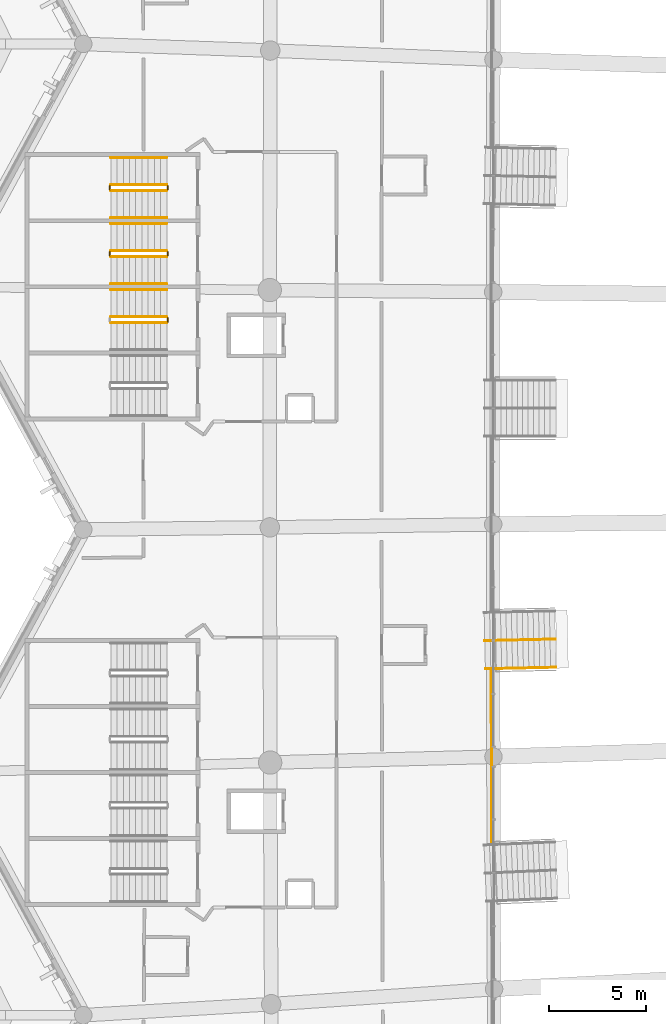
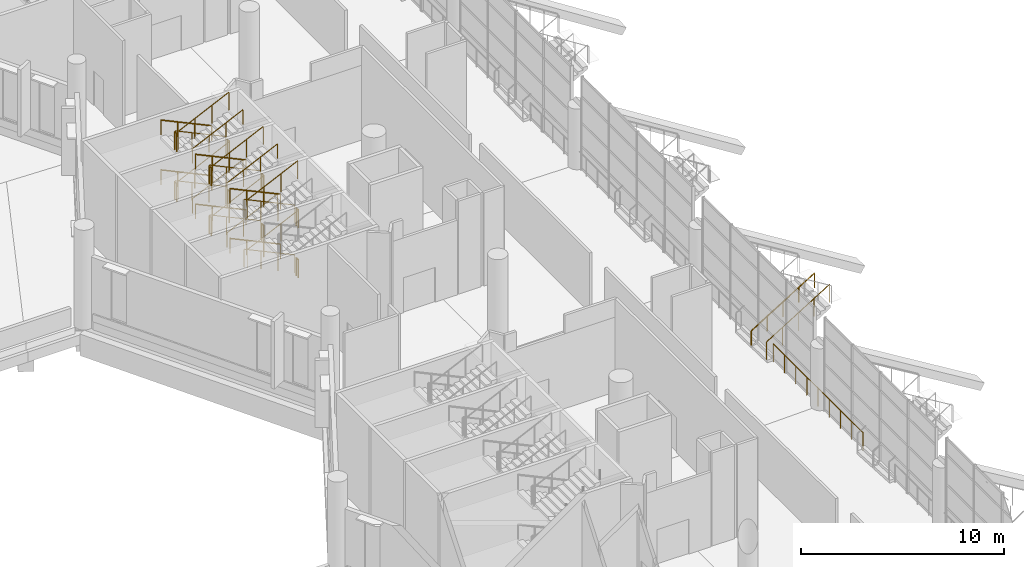
# One storey, part 125 of 173: 35 railings.
"""IFC4 building model written with IfcOpenShell, lengths in metres."""

from ifc_helpers import new_model, si_unit, direction, frame, origin, origin_2d, place, context, subcontext, project, spatial, circle, extrude, material, type_object, element, save


model = new_model("IFC4")

# Units and contexts
model_context = context("Model", 3, precision=1e-05, world=origin(), true_north=direction((0.0, 1.0)))
body_context = subcontext(model_context, "Body", "Model", "MODEL_VIEW")
ifc_project = project(units=[si_unit("LENGTHUNIT", "METRE"), si_unit("AREAUNIT", "SQUARE_METRE"), si_unit("VOLUMEUNIT", "CUBIC_METRE"), si_unit("PLANEANGLEUNIT", "RADIAN"), si_unit("MASSUNIT", "GRAM", prefix="KILO")], contexts=[model_context])

# Site, building, storey
site_placement = place(None, origin())
site = spatial("IfcSite", under=ifc_project, at=site_placement, CompositionType="ELEMENT")
building_placement = place(site_placement, origin())
building = spatial("IfcBuilding", under=site, at=building_placement, Name="Meseta Stadium", CompositionType="ELEMENT")
storey_placement = place(building_placement, frame((0.0, 0.0, 18.0)))
storey = spatial("IfcBuildingStorey", under=building, at=storey_placement, Name="L03", CompositionType="ELEMENT", Elevation=18.0)

# Railings
ifc_material_1 = material(Name="Steel S355", Category="steel")
railing_type_1 = type_object("IfcRailingType", Name="Plate edge guard 1100", PredefinedType="GUARDRAIL", material=ifc_material_1)
railing_1_placement = place(storey_placement, frame((-73.590087890625, -13.534912109375, 0.0)))
element("IfcRailing", 1, at=railing_1_placement, inside=storey, type_object=railing_type_1, Name="L03 inner edge guard 35", PredefinedType="GUARDRAIL", context=body_context, shape_type="SweptSolid", body=[
    extrude(circle(Radius=0.02490234375, at=origin_2d()), frame((0.0, 0.0, 1.0751953125), z_axis=(0.001964850227, -0.99999806968, 0.0), x_axis=(0.99999806968, 0.001964850227, 0.0)), (0.0, 0.0, 1.0), 8.822021484375),
    extrude(circle(Radius=0.02001953125, at=origin_2d()), origin(), (0.0, 0.0, 1.0), 1.050048828125),
    extrude(circle(Radius=0.02001953125, at=origin_2d()), frame((0.002197265625, -1.102783203125, 0.0)), (0.0, 0.0, 1.0), 1.050048828125),
    extrude(circle(Radius=0.02001953125, at=origin_2d()), frame((0.00439453125, -2.20556640625, 0.0)), (0.0, 0.0, 1.0), 1.050048828125),
    extrude(circle(Radius=0.02001953125, at=origin_2d()), frame((0.006591796875, -3.308349609375, 0.0)), (0.0, 0.0, 1.0), 1.050048828125),
    extrude(circle(Radius=0.02001953125, at=origin_2d()), frame((0.0087890625, -4.4111328125, 0.0)), (0.0, 0.0, 1.0), 1.050048828125),
    extrude(circle(Radius=0.02001953125, at=origin_2d()), frame((0.0107421875, -5.513671875, 0.0)), (0.0, 0.0, 1.0), 1.050048828125),
    extrude(circle(Radius=0.02001953125, at=origin_2d()), frame((0.012939453125, -6.616455078125, 0.0)), (0.0, 0.0, 1.0), 1.050048828125),
    extrude(circle(Radius=0.02001953125, at=origin_2d()), frame((0.01513671875, -7.71923828125, 0.0)), (0.0, 0.0, 1.0), 1.050048828125),
    extrude(circle(Radius=0.02001953125, at=origin_2d()), frame((0.017333984375, -8.822021484375, 0.0)), (0.0, 0.0, 1.0), 1.050048828125),
])
ifc_material_2 = material(Name="Steel S355", Category="steel")
railing_type_2 = type_object("IfcRailingType", Name="Stair guard 1100", PredefinedType="GUARDRAIL", material=ifc_material_2)
railing_2_placement = place(storey_placement, frame((-90.300048828125, 11.5, 0.14990234375)))
element("IfcRailing", 2, at=railing_2_placement, inside=storey, type_object=railing_type_2, Name="ST65 L03 guard 1", PredefinedType="GUARDRAIL", context=body_context, shape_type="SweptSolid", body=[
    extrude(circle(Radius=0.02392578125, at=origin_2d()), frame((0.0, 0.0, 1.076171875), z_axis=(-0.905440498372, 0.0, 0.424473207528), x_axis=(0.0, -1.0, 0.0)), (0.0, 0.0, 1.0), 3.1806640625),
    extrude(circle(Radius=0.02099609375, at=origin_2d()), origin(), (0.0, 0.0, 1.0), 1.052001953125),
    extrude(circle(Radius=0.02099609375, at=origin_2d()), frame((-0.9599609375, 0.0, 0.449951171875)), (0.0, 0.0, 1.0), 1.052001953125),
    extrude(circle(Radius=0.02099609375, at=origin_2d()), frame((-1.919921875, 0.0, 0.900146484375)), (0.0, 0.0, 1.0), 1.052001953125),
    extrude(circle(Radius=0.02099609375, at=origin_2d()), frame((-2.8798828125, 0.0, 1.35009765625)), (0.0, 0.0, 1.0), 1.052001953125),
])
railing_3_placement = place(storey_placement, frame((-93.22998046875, 11.449951171875, 1.5)))
element("IfcRailing", 3, at=railing_3_placement, inside=storey, type_object=railing_type_2, Name="ST65 L03 guard 2", PredefinedType="GUARDRAIL", context=body_context, shape_type="SweptSolid", body=[
    extrude(circle(Radius=0.02392578125, at=origin_2d()), frame((0.0, 0.0, 1.076171875), z_axis=(0.0, -1.0, 0.0), x_axis=(1.0, 0.0, 0.0)), (0.0, 0.0, 1.0), 0.199951171875),
    extrude(circle(Radius=0.02099609375, at=origin_2d()), origin(), (0.0, 0.0, 1.0), 1.052001953125),
    extrude(circle(Radius=0.02099609375, at=origin_2d()), frame((0.0, -0.199951171875, 0.0)), (0.0, 0.0, 1.0), 1.052001953125),
])
railing_4_placement = place(storey_placement, frame((-93.179931640625, 11.199951171875, 1.64990234375)))
element("IfcRailing", 4, at=railing_4_placement, inside=storey, type_object=railing_type_2, Name="ST65 L03 guard 3", PredefinedType="GUARDRAIL", context=body_context, shape_type="SweptSolid", body=[
    extrude(circle(Radius=0.02392578125, at=origin_2d()), frame((0.0, 0.0, 1.076171875), z_axis=(0.905440498372, 0.0, 0.424473207528), x_axis=(0.0, 1.0, 0.0)), (0.0, 0.0, 1.0), 3.1806640625),
    extrude(circle(Radius=0.02099609375, at=origin_2d()), origin(), (0.0, 0.0, 1.0), 1.052001953125),
    extrude(circle(Radius=0.02099609375, at=origin_2d()), frame((0.9599609375, 0.0, 0.449951171875)), (0.0, 0.0, 1.0), 1.052001953125),
    extrude(circle(Radius=0.02099609375, at=origin_2d()), frame((1.919921875, 0.0, 0.900146484375)), (0.0, 0.0, 1.0), 1.052001953125),
    extrude(circle(Radius=0.02099609375, at=origin_2d()), frame((2.8798828125, 0.0, 1.35009765625)), (0.0, 0.0, 1.0), 1.052001953125),
])
railing_5_placement = place(storey_placement, frame((-90.25, 11.449951171875, 3.0)))
element("IfcRailing", 5, at=railing_5_placement, inside=storey, type_object=railing_type_2, Name="ST65 L03 guard 4", PredefinedType="GUARDRAIL", context=body_context, shape_type="SweptSolid", body=[
    extrude(circle(Radius=0.02392578125, at=origin_2d()), frame((0.0, 0.0, 1.076171875), z_axis=(0.0, -1.0, 0.0), x_axis=(1.0, 0.0, 0.0)), (0.0, 0.0, 1.0), 0.199951171875),
    extrude(circle(Radius=0.02099609375, at=origin_2d()), origin(), (0.0, 0.0, 1.0), 1.052001953125),
    extrude(circle(Radius=0.02099609375, at=origin_2d()), frame((0.0, -0.199951171875, 0.0)), (0.0, 0.0, 1.0), 1.052001953125),
])
railing_6_placement = place(storey_placement, frame((-90.300048828125, 11.5, 3.14990234375)))
element("IfcRailing", 6, at=railing_6_placement, inside=storey, type_object=railing_type_2, Name="ST65 L03 guard 5", PredefinedType="GUARDRAIL", context=body_context, shape_type="SweptSolid", body=[
    extrude(circle(Radius=0.02392578125, at=origin_2d()), frame((0.0, 0.0, 1.076171875), z_axis=(-0.905440498372, 0.0, 0.424473207528), x_axis=(0.0, -1.0, 0.0)), (0.0, 0.0, 1.0), 3.1806640625),
    extrude(circle(Radius=0.02099609375, at=origin_2d()), origin(), (0.0, 0.0, 1.0), 1.052001953125),
    extrude(circle(Radius=0.02099609375, at=origin_2d()), frame((-0.9599609375, 0.0, 0.449951171875)), (0.0, 0.0, 1.0), 1.052001953125),
    extrude(circle(Radius=0.02099609375, at=origin_2d()), frame((-1.919921875, 0.0, 0.900146484375)), (0.0, 0.0, 1.0), 1.052001953125),
    extrude(circle(Radius=0.02099609375, at=origin_2d()), frame((-2.8798828125, 0.0, 1.35009765625)), (0.0, 0.0, 1.0), 1.052001953125),
])
railing_7_placement = place(storey_placement, frame((-93.22998046875, 11.449951171875, 4.5)))
element("IfcRailing", 7, at=railing_7_placement, inside=storey, type_object=railing_type_2, Name="ST65 L03 guard 6", PredefinedType="GUARDRAIL", context=body_context, shape_type="SweptSolid", body=[
    extrude(circle(Radius=0.02392578125, at=origin_2d()), frame((0.0, 0.0, 1.076171875), z_axis=(0.0, -1.0, 0.0), x_axis=(1.0, 0.0, 0.0)), (0.0, 0.0, 1.0), 0.199951171875),
    extrude(circle(Radius=0.02099609375, at=origin_2d()), origin(), (0.0, 0.0, 1.0), 1.052001953125),
    extrude(circle(Radius=0.02099609375, at=origin_2d()), frame((0.0, -0.199951171875, 0.0)), (0.0, 0.0, 1.0), 1.052001953125),
])
railing_8_placement = place(storey_placement, frame((-93.179931640625, 11.199951171875, 4.64990234375)))
element("IfcRailing", 8, at=railing_8_placement, inside=storey, type_object=railing_type_2, Name="ST65 L03 guard 7", PredefinedType="GUARDRAIL", context=body_context, shape_type="SweptSolid", body=[
    extrude(circle(Radius=0.02392578125, at=origin_2d()), frame((0.0, 0.0, 1.076171875), z_axis=(0.905440498372, 0.0, 0.424473207528), x_axis=(0.0, 1.0, 0.0)), (0.0, 0.0, 1.0), 3.1806640625),
    extrude(circle(Radius=0.02099609375, at=origin_2d()), origin(), (0.0, 0.0, 1.0), 1.052001953125),
    extrude(circle(Radius=0.02099609375, at=origin_2d()), frame((0.9599609375, 0.0, 0.449951171875)), (0.0, 0.0, 1.0), 1.052001953125),
    extrude(circle(Radius=0.02099609375, at=origin_2d()), frame((1.919921875, 0.0, 0.900146484375)), (0.0, 0.0, 1.0), 1.052001953125),
    extrude(circle(Radius=0.02099609375, at=origin_2d()), frame((2.8798828125, 0.0, 1.35009765625)), (0.0, 0.0, 1.0), 1.052001953125),
])
railing_9_placement = place(storey_placement, frame((-90.25, 11.449951171875, 0.0)))
element("IfcRailing", 9, at=railing_9_placement, inside=storey, type_object=railing_type_2, Name="ST65 L03 guard 8", PredefinedType="GUARDRAIL", context=body_context, shape_type="SweptSolid", body=[
    extrude(circle(Radius=0.02392578125, at=origin_2d()), frame((0.0, 0.0, 1.076171875), z_axis=(0.0, -1.0, 0.0), x_axis=(1.0, 0.0, 0.0)), (0.0, 0.0, 1.0), 0.199951171875),
    extrude(circle(Radius=0.02099609375, at=origin_2d()), origin(), (0.0, 0.0, 1.0), 1.052001953125),
    extrude(circle(Radius=0.02099609375, at=origin_2d()), frame((0.0, -0.199951171875, 0.0)), (0.0, 0.0, 1.0), 1.052001953125),
])
railing_10_placement = place(storey_placement, frame((-90.300048828125, 8.10009765625, 0.14990234375)))
element("IfcRailing", 10, at=railing_10_placement, inside=storey, type_object=railing_type_2, Name="ST66 L03 guard 1", PredefinedType="GUARDRAIL", context=body_context, shape_type="SweptSolid", body=[
    extrude(circle(Radius=0.02392578125, at=origin_2d()), frame((0.0, 0.0, 1.076171875), z_axis=(-0.905440498372, 0.0, 0.424473207528), x_axis=(0.0, -1.0, 0.0)), (0.0, 0.0, 1.0), 3.1806640625),
    extrude(circle(Radius=0.02099609375, at=origin_2d()), origin(), (0.0, 0.0, 1.0), 1.052001953125),
    extrude(circle(Radius=0.02099609375, at=origin_2d()), frame((-0.9599609375, 0.0, 0.449951171875)), (0.0, 0.0, 1.0), 1.052001953125),
    extrude(circle(Radius=0.02099609375, at=origin_2d()), frame((-1.919921875, 0.0, 0.900146484375)), (0.0, 0.0, 1.0), 1.052001953125),
    extrude(circle(Radius=0.02099609375, at=origin_2d()), frame((-2.8798828125, 0.0, 1.35009765625)), (0.0, 0.0, 1.0), 1.052001953125),
])
railing_11_placement = place(storey_placement, frame((-93.22998046875, 8.050048828125, 1.5)))
element("IfcRailing", 11, at=railing_11_placement, inside=storey, type_object=railing_type_2, Name="ST66 L03 guard 2", PredefinedType="GUARDRAIL", context=body_context, shape_type="SweptSolid", body=[
    extrude(circle(Radius=0.02392578125, at=origin_2d()), frame((0.0, 0.0, 1.076171875), z_axis=(0.0, -1.0, 0.0), x_axis=(1.0, 0.0, 0.0)), (0.0, 0.0, 1.0), 0.199951171875),
    extrude(circle(Radius=0.02099609375, at=origin_2d()), origin(), (0.0, 0.0, 1.0), 1.052001953125),
    extrude(circle(Radius=0.02099609375, at=origin_2d()), frame((0.0, -0.199951171875, 0.0)), (0.0, 0.0, 1.0), 1.052001953125),
])
railing_12_placement = place(storey_placement, frame((-93.179931640625, 7.800048828125, 1.64990234375)))
element("IfcRailing", 12, at=railing_12_placement, inside=storey, type_object=railing_type_2, Name="ST66 L03 guard 3", PredefinedType="GUARDRAIL", context=body_context, shape_type="SweptSolid", body=[
    extrude(circle(Radius=0.02392578125, at=origin_2d()), frame((0.0, 0.0, 1.076171875), z_axis=(0.905440498372, 0.0, 0.424473207528), x_axis=(0.0, 1.0, 0.0)), (0.0, 0.0, 1.0), 3.1806640625),
    extrude(circle(Radius=0.02099609375, at=origin_2d()), origin(), (0.0, 0.0, 1.0), 1.052001953125),
    extrude(circle(Radius=0.02099609375, at=origin_2d()), frame((0.9599609375, 0.0, 0.449951171875)), (0.0, 0.0, 1.0), 1.052001953125),
    extrude(circle(Radius=0.02099609375, at=origin_2d()), frame((1.919921875, 0.0, 0.900146484375)), (0.0, 0.0, 1.0), 1.052001953125),
    extrude(circle(Radius=0.02099609375, at=origin_2d()), frame((2.8798828125, 0.0, 1.35009765625)), (0.0, 0.0, 1.0), 1.052001953125),
])
railing_13_placement = place(storey_placement, frame((-90.25, 8.050048828125, 3.0)))
element("IfcRailing", 13, at=railing_13_placement, inside=storey, type_object=railing_type_2, Name="ST66 L03 guard 4", PredefinedType="GUARDRAIL", context=body_context, shape_type="SweptSolid", body=[
    extrude(circle(Radius=0.02392578125, at=origin_2d()), frame((0.0, 0.0, 1.076171875), z_axis=(0.0, -1.0, 0.0), x_axis=(1.0, 0.0, 0.0)), (0.0, 0.0, 1.0), 0.199951171875),
    extrude(circle(Radius=0.02099609375, at=origin_2d()), origin(), (0.0, 0.0, 1.0), 1.052001953125),
    extrude(circle(Radius=0.02099609375, at=origin_2d()), frame((0.0, -0.199951171875, 0.0)), (0.0, 0.0, 1.0), 1.052001953125),
])
railing_14_placement = place(storey_placement, frame((-90.300048828125, 8.10009765625, 3.14990234375)))
element("IfcRailing", 14, at=railing_14_placement, inside=storey, type_object=railing_type_2, Name="ST66 L03 guard 5", PredefinedType="GUARDRAIL", context=body_context, shape_type="SweptSolid", body=[
    extrude(circle(Radius=0.02392578125, at=origin_2d()), frame((0.0, 0.0, 1.076171875), z_axis=(-0.905440498372, 0.0, 0.424473207528), x_axis=(0.0, -1.0, 0.0)), (0.0, 0.0, 1.0), 3.1806640625),
    extrude(circle(Radius=0.02099609375, at=origin_2d()), origin(), (0.0, 0.0, 1.0), 1.052001953125),
    extrude(circle(Radius=0.02099609375, at=origin_2d()), frame((-0.9599609375, 0.0, 0.449951171875)), (0.0, 0.0, 1.0), 1.052001953125),
    extrude(circle(Radius=0.02099609375, at=origin_2d()), frame((-1.919921875, 0.0, 0.900146484375)), (0.0, 0.0, 1.0), 1.052001953125),
    extrude(circle(Radius=0.02099609375, at=origin_2d()), frame((-2.8798828125, 0.0, 1.35009765625)), (0.0, 0.0, 1.0), 1.052001953125),
])
railing_15_placement = place(storey_placement, frame((-93.22998046875, 8.050048828125, 4.5)))
element("IfcRailing", 15, at=railing_15_placement, inside=storey, type_object=railing_type_2, Name="ST66 L03 guard 6", PredefinedType="GUARDRAIL", context=body_context, shape_type="SweptSolid", body=[
    extrude(circle(Radius=0.02392578125, at=origin_2d()), frame((0.0, 0.0, 1.076171875), z_axis=(0.0, -1.0, 0.0), x_axis=(1.0, 0.0, 0.0)), (0.0, 0.0, 1.0), 0.199951171875),
    extrude(circle(Radius=0.02099609375, at=origin_2d()), origin(), (0.0, 0.0, 1.0), 1.052001953125),
    extrude(circle(Radius=0.02099609375, at=origin_2d()), frame((0.0, -0.199951171875, 0.0)), (0.0, 0.0, 1.0), 1.052001953125),
])
railing_16_placement = place(storey_placement, frame((-93.179931640625, 7.800048828125, 4.64990234375)))
element("IfcRailing", 16, at=railing_16_placement, inside=storey, type_object=railing_type_2, Name="ST66 L03 guard 7", PredefinedType="GUARDRAIL", context=body_context, shape_type="SweptSolid", body=[
    extrude(circle(Radius=0.02392578125, at=origin_2d()), frame((0.0, 0.0, 1.076171875), z_axis=(0.905440498372, 0.0, 0.424473207528), x_axis=(0.0, 1.0, 0.0)), (0.0, 0.0, 1.0), 3.1806640625),
    extrude(circle(Radius=0.02099609375, at=origin_2d()), origin(), (0.0, 0.0, 1.0), 1.052001953125),
    extrude(circle(Radius=0.02099609375, at=origin_2d()), frame((0.9599609375, 0.0, 0.449951171875)), (0.0, 0.0, 1.0), 1.052001953125),
    extrude(circle(Radius=0.02099609375, at=origin_2d()), frame((1.919921875, 0.0, 0.900146484375)), (0.0, 0.0, 1.0), 1.052001953125),
    extrude(circle(Radius=0.02099609375, at=origin_2d()), frame((2.8798828125, 0.0, 1.35009765625)), (0.0, 0.0, 1.0), 1.052001953125),
])
railing_17_placement = place(storey_placement, frame((-90.25, 8.050048828125, 0.0)))
element("IfcRailing", 17, at=railing_17_placement, inside=storey, type_object=railing_type_2, Name="ST66 L03 guard 8", PredefinedType="GUARDRAIL", context=body_context, shape_type="SweptSolid", body=[
    extrude(circle(Radius=0.02392578125, at=origin_2d()), frame((0.0, 0.0, 1.076171875), z_axis=(0.0, -1.0, 0.0), x_axis=(1.0, 0.0, 0.0)), (0.0, 0.0, 1.0), 0.199951171875),
    extrude(circle(Radius=0.02099609375, at=origin_2d()), origin(), (0.0, 0.0, 1.0), 1.052001953125),
    extrude(circle(Radius=0.02099609375, at=origin_2d()), frame((0.0, -0.199951171875, 0.0)), (0.0, 0.0, 1.0), 1.052001953125),
])
railing_18_placement = place(storey_placement, frame((-90.300048828125, 4.699951171875, 0.14990234375)))
element("IfcRailing", 18, at=railing_18_placement, inside=storey, type_object=railing_type_2, Name="ST67 L03 guard 1", PredefinedType="GUARDRAIL", context=body_context, shape_type="SweptSolid", body=[
    extrude(circle(Radius=0.02392578125, at=origin_2d()), frame((0.0, 0.0, 1.076171875), z_axis=(-0.905440498372, 0.0, 0.424473207528), x_axis=(0.0, -1.0, 0.0)), (0.0, 0.0, 1.0), 3.1806640625),
    extrude(circle(Radius=0.02099609375, at=origin_2d()), origin(), (0.0, 0.0, 1.0), 1.052001953125),
    extrude(circle(Radius=0.02099609375, at=origin_2d()), frame((-0.9599609375, 0.0, 0.449951171875)), (0.0, 0.0, 1.0), 1.052001953125),
    extrude(circle(Radius=0.02099609375, at=origin_2d()), frame((-1.919921875, 0.0, 0.900146484375)), (0.0, 0.0, 1.0), 1.052001953125),
    extrude(circle(Radius=0.02099609375, at=origin_2d()), frame((-2.8798828125, 0.0, 1.35009765625)), (0.0, 0.0, 1.0), 1.052001953125),
])
railing_19_placement = place(storey_placement, frame((-93.179931640625, 4.39990234375, 1.64990234375)))
element("IfcRailing", 19, at=railing_19_placement, inside=storey, type_object=railing_type_2, Name="ST67 L03 guard 3", PredefinedType="GUARDRAIL", context=body_context, shape_type="SweptSolid", body=[
    extrude(circle(Radius=0.02392578125, at=origin_2d()), frame((0.0, 0.0, 1.076171875), z_axis=(0.905440498372, 0.0, 0.424473207528), x_axis=(0.0, 1.0, 0.0)), (0.0, 0.0, 1.0), 3.1806640625),
    extrude(circle(Radius=0.02099609375, at=origin_2d()), origin(), (0.0, 0.0, 1.0), 1.052001953125),
    extrude(circle(Radius=0.02099609375, at=origin_2d()), frame((0.9599609375, 0.0, 0.449951171875)), (0.0, 0.0, 1.0), 1.052001953125),
    extrude(circle(Radius=0.02099609375, at=origin_2d()), frame((1.919921875, 0.0, 0.900146484375)), (0.0, 0.0, 1.0), 1.052001953125),
    extrude(circle(Radius=0.02099609375, at=origin_2d()), frame((2.8798828125, 0.0, 1.35009765625)), (0.0, 0.0, 1.0), 1.052001953125),
])
railing_20_placement = place(storey_placement, frame((-90.25, 4.64990234375, 3.0)))
element("IfcRailing", 20, at=railing_20_placement, inside=storey, type_object=railing_type_2, Name="ST67 L03 guard 4", PredefinedType="GUARDRAIL", context=body_context, shape_type="SweptSolid", body=[
    extrude(circle(Radius=0.02392578125, at=origin_2d()), frame((0.0, 0.0, 1.076171875), z_axis=(0.0, -1.0, 0.0), x_axis=(1.0, 0.0, 0.0)), (0.0, 0.0, 1.0), 0.199951171875),
    extrude(circle(Radius=0.02099609375, at=origin_2d()), origin(), (0.0, 0.0, 1.0), 1.052001953125),
    extrude(circle(Radius=0.02099609375, at=origin_2d()), frame((0.0, -0.199951171875, 0.0)), (0.0, 0.0, 1.0), 1.052001953125),
])
railing_21_placement = place(storey_placement, frame((-90.300048828125, 4.699951171875, 3.14990234375)))
element("IfcRailing", 21, at=railing_21_placement, inside=storey, type_object=railing_type_2, Name="ST67 L03 guard 5", PredefinedType="GUARDRAIL", context=body_context, shape_type="SweptSolid", body=[
    extrude(circle(Radius=0.02392578125, at=origin_2d()), frame((0.0, 0.0, 1.076171875), z_axis=(-0.905440498372, 0.0, 0.424473207528), x_axis=(0.0, -1.0, 0.0)), (0.0, 0.0, 1.0), 3.1806640625),
    extrude(circle(Radius=0.02099609375, at=origin_2d()), origin(), (0.0, 0.0, 1.0), 1.052001953125),
    extrude(circle(Radius=0.02099609375, at=origin_2d()), frame((-0.9599609375, 0.0, 0.449951171875)), (0.0, 0.0, 1.0), 1.052001953125),
    extrude(circle(Radius=0.02099609375, at=origin_2d()), frame((-1.919921875, 0.0, 0.900146484375)), (0.0, 0.0, 1.0), 1.052001953125),
    extrude(circle(Radius=0.02099609375, at=origin_2d()), frame((-2.8798828125, 0.0, 1.35009765625)), (0.0, 0.0, 1.0), 1.052001953125),
])
railing_22_placement = place(storey_placement, frame((-93.179931640625, 4.39990234375, 4.64990234375)))
element("IfcRailing", 22, at=railing_22_placement, inside=storey, type_object=railing_type_2, Name="ST67 L03 guard 7", PredefinedType="GUARDRAIL", context=body_context, shape_type="SweptSolid", body=[
    extrude(circle(Radius=0.02392578125, at=origin_2d()), frame((0.0, 0.0, 1.076171875), z_axis=(0.905440498372, 0.0, 0.424473207528), x_axis=(0.0, 1.0, 0.0)), (0.0, 0.0, 1.0), 3.1806640625),
    extrude(circle(Radius=0.02099609375, at=origin_2d()), origin(), (0.0, 0.0, 1.0), 1.052001953125),
    extrude(circle(Radius=0.02099609375, at=origin_2d()), frame((0.9599609375, 0.0, 0.449951171875)), (0.0, 0.0, 1.0), 1.052001953125),
    extrude(circle(Radius=0.02099609375, at=origin_2d()), frame((1.919921875, 0.0, 0.900146484375)), (0.0, 0.0, 1.0), 1.052001953125),
    extrude(circle(Radius=0.02099609375, at=origin_2d()), frame((2.8798828125, 0.0, 1.35009765625)), (0.0, 0.0, 1.0), 1.052001953125),
])
railing_23_placement = place(storey_placement, frame((-90.25, 4.64990234375, 0.0)))
element("IfcRailing", 23, at=railing_23_placement, inside=storey, type_object=railing_type_2, Name="ST67 L03 guard 8", PredefinedType="GUARDRAIL", context=body_context, shape_type="SweptSolid", body=[
    extrude(circle(Radius=0.02392578125, at=origin_2d()), frame((0.0, 0.0, 1.076171875), z_axis=(0.0, -1.0, 0.0), x_axis=(1.0, 0.0, 0.0)), (0.0, 0.0, 1.0), 0.199951171875),
    extrude(circle(Radius=0.02099609375, at=origin_2d()), origin(), (0.0, 0.0, 1.0), 1.052001953125),
    extrude(circle(Radius=0.02099609375, at=origin_2d()), frame((0.0, -0.199951171875, 0.0)), (0.0, 0.0, 1.0), 1.052001953125),
])
ifc_material_3 = material(Name="Steel S355", Category="steel")
railing_type_3 = type_object("IfcRailingType", Name="Stair handrail 900", PredefinedType="HANDRAIL", material=ifc_material_3)
railing_24_placement = place(storey_placement, frame((-90.300048828125, 12.89990234375, 0.14990234375)))
element("IfcRailing", 24, at=railing_24_placement, inside=storey, type_object=railing_type_3, Name="ST65 L03 handrail 1", PredefinedType="HANDRAIL", context=body_context, shape_type="SweptSolid", body=[
    extrude(circle(Radius=0.02392578125, at=origin_2d()), frame((0.0, 0.0, 0.8759765625), z_axis=(-0.905440498372, 0.0, 0.424473207528), x_axis=(0.0, -1.0, 0.0)), (0.0, 0.0, 1.0), 3.1806640625),
    extrude(circle(Radius=0.02099609375, at=origin_2d()), origin(), (0.0, 0.0, 1.0), 0.851806640625),
    extrude(circle(Radius=0.02099609375, at=origin_2d()), frame((-0.9599609375, 0.0, 0.449951171875)), (0.0, 0.0, 1.0), 0.851806640625),
    extrude(circle(Radius=0.02099609375, at=origin_2d()), frame((-1.919921875, 0.0, 0.900146484375)), (0.0, 0.0, 1.0), 0.851806640625),
    extrude(circle(Radius=0.02099609375, at=origin_2d()), frame((-2.8798828125, 0.0, 1.35009765625)), (0.0, 0.0, 1.0), 0.851806640625),
])
railing_25_placement = place(storey_placement, frame((-93.179931640625, 9.800048828125, 1.64990234375)))
element("IfcRailing", 25, at=railing_25_placement, inside=storey, type_object=railing_type_3, Name="ST65 L03 handrail 2", PredefinedType="HANDRAIL", context=body_context, shape_type="SweptSolid", body=[
    extrude(circle(Radius=0.02392578125, at=origin_2d()), frame((0.0, 0.0, 0.8759765625), z_axis=(0.905440498372, 0.0, 0.424473207528), x_axis=(0.0, 1.0, 0.0)), (0.0, 0.0, 1.0), 3.1806640625),
    extrude(circle(Radius=0.02099609375, at=origin_2d()), origin(), (0.0, 0.0, 1.0), 0.851806640625),
    extrude(circle(Radius=0.02099609375, at=origin_2d()), frame((0.9599609375, 0.0, 0.449951171875)), (0.0, 0.0, 1.0), 0.851806640625),
    extrude(circle(Radius=0.02099609375, at=origin_2d()), frame((1.919921875, 0.0, 0.900146484375)), (0.0, 0.0, 1.0), 0.851806640625),
    extrude(circle(Radius=0.02099609375, at=origin_2d()), frame((2.8798828125, 0.0, 1.35009765625)), (0.0, 0.0, 1.0), 0.851806640625),
])
railing_26_placement = place(storey_placement, frame((-90.300048828125, 12.89990234375, 3.14990234375)))
element("IfcRailing", 26, at=railing_26_placement, inside=storey, type_object=railing_type_3, Name="ST65 L03 handrail 3", PredefinedType="HANDRAIL", context=body_context, shape_type="SweptSolid", body=[
    extrude(circle(Radius=0.02392578125, at=origin_2d()), frame((0.0, 0.0, 0.8759765625), z_axis=(-0.905440498372, 0.0, 0.424473207528), x_axis=(0.0, -1.0, 0.0)), (0.0, 0.0, 1.0), 3.1806640625),
    extrude(circle(Radius=0.02099609375, at=origin_2d()), origin(), (0.0, 0.0, 1.0), 0.851806640625),
    extrude(circle(Radius=0.02099609375, at=origin_2d()), frame((-0.9599609375, 0.0, 0.449951171875)), (0.0, 0.0, 1.0), 0.851806640625),
    extrude(circle(Radius=0.02099609375, at=origin_2d()), frame((-1.919921875, 0.0, 0.900146484375)), (0.0, 0.0, 1.0), 0.851806640625),
    extrude(circle(Radius=0.02099609375, at=origin_2d()), frame((-2.8798828125, 0.0, 1.35009765625)), (0.0, 0.0, 1.0), 0.851806640625),
])
railing_27_placement = place(storey_placement, frame((-93.179931640625, 9.800048828125, 4.64990234375)))
element("IfcRailing", 27, at=railing_27_placement, inside=storey, type_object=railing_type_3, Name="ST65 L03 handrail 4", PredefinedType="HANDRAIL", context=body_context, shape_type="SweptSolid", body=[
    extrude(circle(Radius=0.02392578125, at=origin_2d()), frame((0.0, 0.0, 0.8759765625), z_axis=(0.905440498372, 0.0, 0.424473207528), x_axis=(0.0, 1.0, 0.0)), (0.0, 0.0, 1.0), 3.1806640625),
    extrude(circle(Radius=0.02099609375, at=origin_2d()), origin(), (0.0, 0.0, 1.0), 0.851806640625),
    extrude(circle(Radius=0.02099609375, at=origin_2d()), frame((0.9599609375, 0.0, 0.449951171875)), (0.0, 0.0, 1.0), 0.851806640625),
    extrude(circle(Radius=0.02099609375, at=origin_2d()), frame((1.919921875, 0.0, 0.900146484375)), (0.0, 0.0, 1.0), 0.851806640625),
    extrude(circle(Radius=0.02099609375, at=origin_2d()), frame((2.8798828125, 0.0, 1.35009765625)), (0.0, 0.0, 1.0), 0.851806640625),
])
railing_28_placement = place(storey_placement, frame((-90.300048828125, 9.5, 0.14990234375)))
element("IfcRailing", 28, at=railing_28_placement, inside=storey, type_object=railing_type_3, Name="ST66 L03 handrail 1", PredefinedType="HANDRAIL", context=body_context, shape_type="SweptSolid", body=[
    extrude(circle(Radius=0.02392578125, at=origin_2d()), frame((0.0, 0.0, 0.8759765625), z_axis=(-0.905440498372, 0.0, 0.424473207528), x_axis=(0.0, -1.0, 0.0)), (0.0, 0.0, 1.0), 3.1806640625),
    extrude(circle(Radius=0.02099609375, at=origin_2d()), origin(), (0.0, 0.0, 1.0), 0.851806640625),
    extrude(circle(Radius=0.02099609375, at=origin_2d()), frame((-0.9599609375, 0.0, 0.449951171875)), (0.0, 0.0, 1.0), 0.851806640625),
    extrude(circle(Radius=0.02099609375, at=origin_2d()), frame((-1.919921875, 0.0, 0.900146484375)), (0.0, 0.0, 1.0), 0.851806640625),
    extrude(circle(Radius=0.02099609375, at=origin_2d()), frame((-2.8798828125, 0.0, 1.35009765625)), (0.0, 0.0, 1.0), 0.851806640625),
])
railing_29_placement = place(storey_placement, frame((-93.179931640625, 6.39990234375, 1.64990234375)))
element("IfcRailing", 29, at=railing_29_placement, inside=storey, type_object=railing_type_3, Name="ST66 L03 handrail 2", PredefinedType="HANDRAIL", context=body_context, shape_type="SweptSolid", body=[
    extrude(circle(Radius=0.02392578125, at=origin_2d()), frame((0.0, 0.0, 0.8759765625), z_axis=(0.905440498372, 0.0, 0.424473207528), x_axis=(0.0, 1.0, 0.0)), (0.0, 0.0, 1.0), 3.1806640625),
    extrude(circle(Radius=0.02099609375, at=origin_2d()), origin(), (0.0, 0.0, 1.0), 0.851806640625),
    extrude(circle(Radius=0.02099609375, at=origin_2d()), frame((0.9599609375, 0.0, 0.449951171875)), (0.0, 0.0, 1.0), 0.851806640625),
    extrude(circle(Radius=0.02099609375, at=origin_2d()), frame((1.919921875, 0.0, 0.900146484375)), (0.0, 0.0, 1.0), 0.851806640625),
    extrude(circle(Radius=0.02099609375, at=origin_2d()), frame((2.8798828125, 0.0, 1.35009765625)), (0.0, 0.0, 1.0), 0.851806640625),
])
railing_30_placement = place(storey_placement, frame((-90.300048828125, 9.5, 3.14990234375)))
element("IfcRailing", 30, at=railing_30_placement, inside=storey, type_object=railing_type_3, Name="ST66 L03 handrail 3", PredefinedType="HANDRAIL", context=body_context, shape_type="SweptSolid", body=[
    extrude(circle(Radius=0.02392578125, at=origin_2d()), frame((0.0, 0.0, 0.8759765625), z_axis=(-0.905440498372, 0.0, 0.424473207528), x_axis=(0.0, -1.0, 0.0)), (0.0, 0.0, 1.0), 3.1806640625),
    extrude(circle(Radius=0.02099609375, at=origin_2d()), origin(), (0.0, 0.0, 1.0), 0.851806640625),
    extrude(circle(Radius=0.02099609375, at=origin_2d()), frame((-0.9599609375, 0.0, 0.449951171875)), (0.0, 0.0, 1.0), 0.851806640625),
    extrude(circle(Radius=0.02099609375, at=origin_2d()), frame((-1.919921875, 0.0, 0.900146484375)), (0.0, 0.0, 1.0), 0.851806640625),
    extrude(circle(Radius=0.02099609375, at=origin_2d()), frame((-2.8798828125, 0.0, 1.35009765625)), (0.0, 0.0, 1.0), 0.851806640625),
])
railing_31_placement = place(storey_placement, frame((-93.179931640625, 6.39990234375, 4.64990234375)))
element("IfcRailing", 31, at=railing_31_placement, inside=storey, type_object=railing_type_3, Name="ST66 L03 handrail 4", PredefinedType="HANDRAIL", context=body_context, shape_type="SweptSolid", body=[
    extrude(circle(Radius=0.02392578125, at=origin_2d()), frame((0.0, 0.0, 0.8759765625), z_axis=(0.905440498372, 0.0, 0.424473207528), x_axis=(0.0, 1.0, 0.0)), (0.0, 0.0, 1.0), 3.1806640625),
    extrude(circle(Radius=0.02099609375, at=origin_2d()), origin(), (0.0, 0.0, 1.0), 0.851806640625),
    extrude(circle(Radius=0.02099609375, at=origin_2d()), frame((0.9599609375, 0.0, 0.449951171875)), (0.0, 0.0, 1.0), 0.851806640625),
    extrude(circle(Radius=0.02099609375, at=origin_2d()), frame((1.919921875, 0.0, 0.900146484375)), (0.0, 0.0, 1.0), 0.851806640625),
    extrude(circle(Radius=0.02099609375, at=origin_2d()), frame((2.8798828125, 0.0, 1.35009765625)), (0.0, 0.0, 1.0), 0.851806640625),
])
for number, where, name in (
    (32, (-90.300048828125, 6.10009765625, 0.14990234375), "ST67 L03 handrail 1"),
    (33, (-90.300048828125, 6.10009765625, 3.14990234375), "ST67 L03 handrail 3"),
):
    element("IfcRailing", number, at=place(storey_placement, frame(where)), inside=storey, type_object=railing_type_3, Name=name, PredefinedType="HANDRAIL", context=body_context, shape_type="SweptSolid", body=[
        extrude(circle(Radius=0.02392578125, at=origin_2d()), frame((0.0, 0.0, 0.8759765625), z_axis=(-0.905440498372, 0.0, 0.424473207528), x_axis=(0.0, -1.0, 0.0)), (0.0, 0.0, 1.0), 3.1806640625),
        extrude(circle(Radius=0.02099609375, at=origin_2d()), origin(), (0.0, 0.0, 1.0), 0.851806640625),
        extrude(circle(Radius=0.02099609375, at=origin_2d()), frame((-0.9599609375, 0.0, 0.449951171875)), (0.0, 0.0, 1.0), 0.851806640625),
        extrude(circle(Radius=0.02099609375, at=origin_2d()), frame((-1.919921875, 0.0, 0.900146484375)), (0.0, 0.0, 1.0), 0.851806640625),
        extrude(circle(Radius=0.02099609375, at=origin_2d()), frame((-2.8798828125, 0.0, 1.35009765625)), (0.0, 0.0, 1.0), 0.851806640625),
    ])
ifc_material_4 = material(Name="Steel S355", Category="steel")
railing_type_4 = type_object("IfcRailingType", Name="Vomitory stair guard 1100", PredefinedType="GUARDRAIL", material=ifc_material_4)
railing_32_placement = place(storey_placement, frame((-73.8984375, -13.421630859375, 0.1650390625)))
element("IfcRailing", 34, at=railing_32_placement, inside=storey, type_object=railing_type_4, Name="Vomitory V-upper-34 guard right", PredefinedType="GUARDRAIL", context=body_context, shape_type="SweptSolid", body=[
    extrude(circle(Radius=0.02490234375, at=origin_2d()), frame((0.0, 0.0, 1.0751953125), z_axis=(0.861114283805, 0.018891940342, 0.508060316121), x_axis=(-0.021933668769, 0.99975942815, 0.0)), (0.0, 0.0, 1.0), 4.225830078125),
    extrude(circle(Radius=0.02001953125, at=origin_2d()), origin(), (0.0, 0.0, 1.0), 1.050048828125),
    extrude(circle(Radius=0.02001953125, at=origin_2d()), frame((0.90966796875, 0.02001953125, 0.53662109375)), (0.0, 0.0, 1.0), 1.050048828125),
    extrude(circle(Radius=0.02001953125, at=origin_2d()), frame((1.8193359375, 0.0400390625, 1.073486328125)), (0.0, 0.0, 1.0), 1.050048828125),
    extrude(circle(Radius=0.02001953125, at=origin_2d()), frame((2.729248046875, 0.059814453125, 1.6103515625)), (0.0, 0.0, 1.0), 1.050048828125),
    extrude(circle(Radius=0.02001953125, at=origin_2d()), frame((3.638916015625, 0.079833984375, 2.14697265625)), (0.0, 0.0, 1.0), 1.050048828125),
])
ifc_material_5 = material(Name="Steel S355", Category="steel")
railing_type_5 = type_object("IfcRailingType", Name="Vomitory stair handrail 900", PredefinedType="HANDRAIL", material=ifc_material_5)
railing_33_placement = place(storey_placement, frame((-73.930419921875, -11.97216796875, 0.1650390625)))
element("IfcRailing", 35, at=railing_33_placement, inside=storey, type_object=railing_type_5, Name="Vomitory V-upper-34 central handrail", PredefinedType="HANDRAIL", context=body_context, shape_type="SweptSolid", body=[
    extrude(circle(Radius=0.02490234375, at=origin_2d()), frame((0.0, 0.0, 0.875), z_axis=(0.861129216116, 0.018891000515, 0.508035041361), x_axis=(-0.021932198011, 0.999759460416, 0.0)), (0.0, 0.0, 1.0), 4.22607421875),
    extrude(circle(Radius=0.02001953125, at=origin_2d()), origin(), (0.0, 0.0, 1.0), 0.849853515625),
    extrude(circle(Radius=0.02001953125, at=origin_2d()), frame((0.90966796875, 0.02001953125, 0.53662109375)), (0.0, 0.0, 1.0), 0.849853515625),
    extrude(circle(Radius=0.02001953125, at=origin_2d()), frame((1.819580078125, 0.0400390625, 1.073486328125)), (0.0, 0.0, 1.0), 0.849853515625),
    extrude(circle(Radius=0.02001953125, at=origin_2d()), frame((2.7294921875, 0.059814453125, 1.6103515625)), (0.0, 0.0, 1.0), 0.849853515625),
    extrude(circle(Radius=0.02001953125, at=origin_2d()), frame((3.63916015625, 0.079833984375, 2.14697265625)), (0.0, 0.0, 1.0), 0.849853515625),
])

save(model, "model.ifc")
